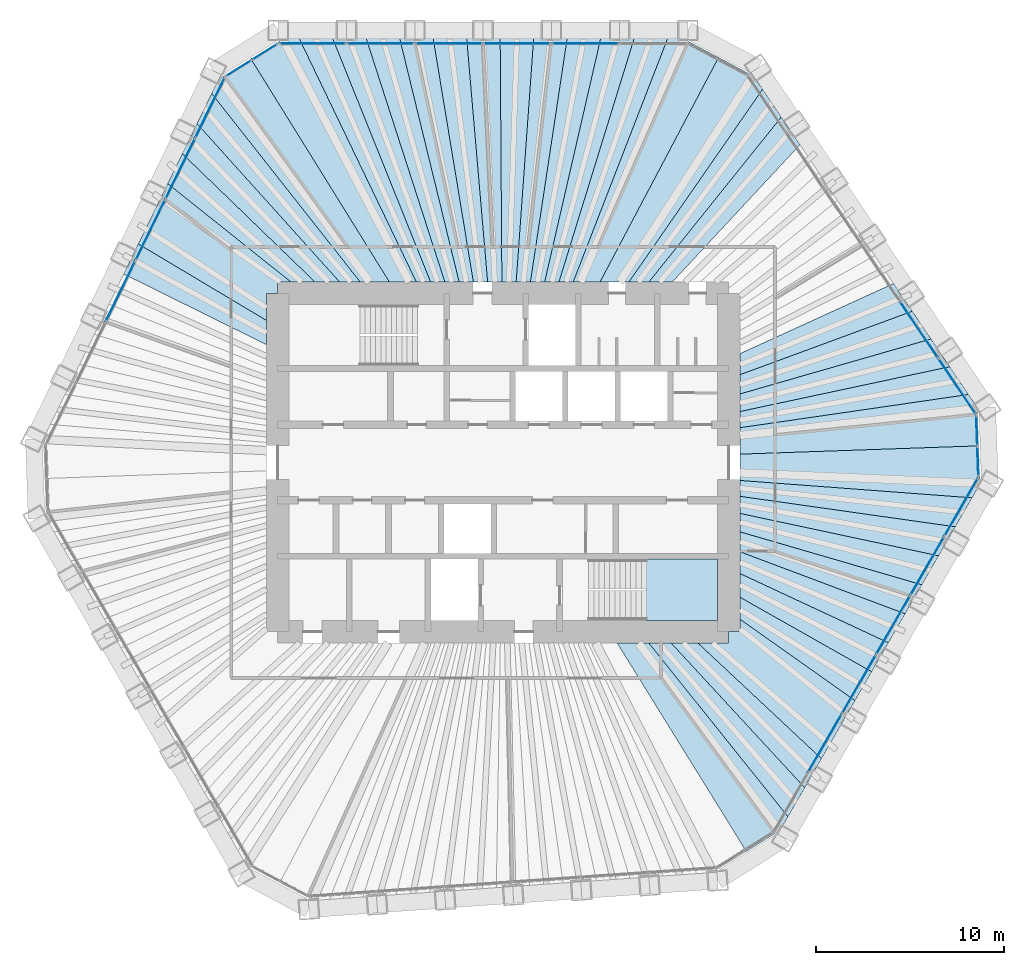
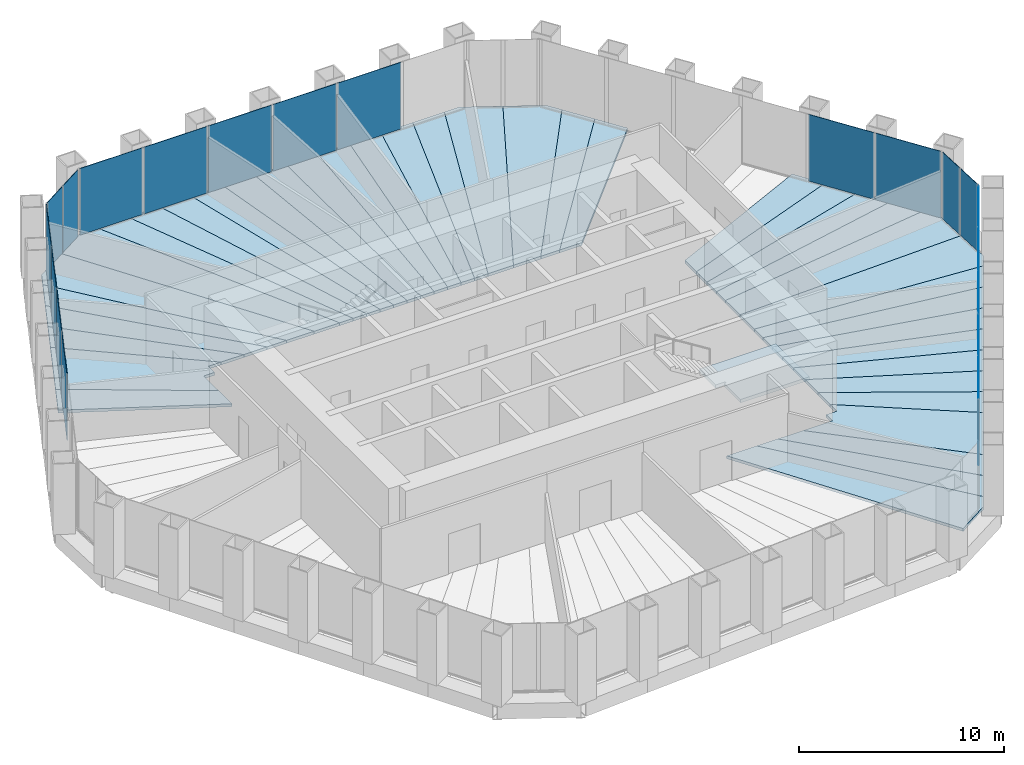
# One storey, part 9 of 14: 40 slabs, 20 plates, 7 elements without a shape of their own.
"""IFC4 building model written with IfcOpenShell, lengths in metres."""

import ifcopenshell
import ifcopenshell.guid

model = None  # the IFC model being written
_history = None  # IfcOwnerHistory: only IFC2X3 demands one
_inside = {}  # id of a spatial element -> (the spatial element, [elements in it])
_under = {}  # id of a project, library or spatial element -> (it, [spatial elements below it])
_declared = {}  # id of a project -> (the project, [libraries it declares])
_typed = {}  # id of a type object -> (the type object, [elements of that type])
_made_of = {}  # id of a material, layer set ... -> (it, [elements and type objects made of it])


def new_model(schema):
    """Start an empty IFC model of exactly this schema.

    Asked for "IFC4X3", IfcOpenShell would pick the latest addendum, in which some entities
    have other attributes; the version numbers below select the first issue.
    IFC2X3 requires an IfcOwnerHistory on every rooted entity: one is made here for all.
    """
    global model, _history
    if schema == "IFC4X3":
        model = ifcopenshell.file(schema_version=(4, 3, 0, 0))
    else:
        model = ifcopenshell.file(schema=schema)
    _inside.clear()
    _under.clear()
    _declared.clear()
    _typed.clear()
    _made_of.clear()
    _history = None
    if model.schema == "IFC2X3":
        org = make("IfcOrganization", Name="unknown")
        user = make(
            "IfcPersonAndOrganization",
            ThePerson=make("IfcPerson", FamilyName="unknown"),
            TheOrganization=org,
        )
        app = make(
            "IfcApplication",
            ApplicationDeveloper=org,
            Version="unknown",
            ApplicationFullName="unknown",
            ApplicationIdentifier="unknown",
        )
        _history = make(
            "IfcOwnerHistory",
            OwningUser=user,
            OwningApplication=app,
            ChangeAction="ADDED",
            CreationDate=0,
        )
    return model


def make(cls, **values):
    """One entity of the class cls with the attributes given. An attribute that is None is left unset."""
    return model.create_entity(
        cls, **{name: value for name, value in values.items() if value is not None}
    )


def rooted(cls, **values):
    """An entity with a GlobalId (a new one), such as an element, a storey or a relation."""
    return make(cls, GlobalId=ifcopenshell.guid.new(), OwnerHistory=_history, **values)


def si_unit(unit_type, name, prefix=None):
    """IfcSIUnit, for example si_unit("LENGTHUNIT", "METRE", prefix="MILLI")."""
    return make("IfcSIUnit", UnitType=unit_type, Prefix=prefix, Name=name)


def assignment(units):
    """IfcUnitAssignment: the units of a project."""
    return None if units is None else make("IfcUnitAssignment", Units=units)


def point(xyz):
    """IfcCartesianPoint."""
    return None if xyz is None else make("IfcCartesianPoint", Coordinates=xyz)


def direction(xyz):
    """IfcDirection."""
    return None if xyz is None else make("IfcDirection", DirectionRatios=xyz)


def frame(location, z_axis=None, x_axis=None):
    """IfcAxis2Placement3D, a coordinate frame: its origin and axes. An axis left out is left unset."""
    return make(
        "IfcAxis2Placement3D",
        Location=point(location),
        Axis=direction(z_axis),
        RefDirection=direction(x_axis),
    )


def frame_2d(location, x_axis=None):
    """IfcAxis2Placement2D, a coordinate frame in the plane: its origin and x axis."""
    return make(
        "IfcAxis2Placement2D", Location=point(location), RefDirection=direction(x_axis)
    )


def origin():
    """The frame at (0, 0, 0) with its axes left unset."""
    return frame((0.0, 0.0, 0.0))


def origin_2d():
    """The frame at (0, 0) in the plane with its x axis left unset."""
    return frame_2d((0.0, 0.0))


def place(relative_to, where):
    """IfcLocalPlacement: puts the frame where relative to a parent placement (None: the world)."""
    return make(
        "IfcLocalPlacement", PlacementRelTo=relative_to, RelativePlacement=where
    )


def context(
    kind, dimensions, precision=None, world=None, true_north=None, identifier=None
):
    """IfcGeometricRepresentationContext, for example the 3D "Model" context."""
    return make(
        "IfcGeometricRepresentationContext",
        ContextIdentifier=identifier,
        ContextType=kind,
        CoordinateSpaceDimension=dimensions,
        Precision=precision,
        WorldCoordinateSystem=world,
        TrueNorth=true_north,
    )


def subcontext(parent, identifier, kind, view, scale=None):
    """IfcGeometricRepresentationSubContext, for example "Body" below "Model"."""
    return make(
        "IfcGeometricRepresentationSubContext",
        ContextIdentifier=identifier,
        ContextType=kind,
        ParentContext=parent,
        TargetScale=scale,
        TargetView=view,
    )


def project(units=None, contexts=None):
    """IfcProject with its units and contexts."""
    return rooted(
        "IfcProject",
        Name="project",
        RepresentationContexts=contexts,
        UnitsInContext=assignment(units),
    )


def spatial(cls, under=None, at=None, **own):
    """A site, building, storey or space (cls), placed at a placement, below another one or the project."""
    s = rooted(cls, ObjectPlacement=at, **own)
    if under is not None:
        _under.setdefault(under.id(), (under, []))[1].append(s)
    return s


def polyline(points):
    """IfcPolyline through the points."""
    return make("IfcPolyline", Points=[point(p) for p in points])


def profile(cls, at=None, kind="AREA", **sizes):
    """A parametric profile (cls). Its sizes go by their IFC names, for example OverallWidth=200.0."""
    return make(cls, ProfileType=kind, Position=at, **sizes)


def rectangle(**sizes):
    """IfcRectangleProfileDef."""
    return profile("IfcRectangleProfileDef", **sizes)


def outline(outer, holes=None, kind="AREA"):
    """IfcArbitraryClosedProfileDef: a profile drawn as a closed curve; with holes, ...WithVoids."""
    if holes is None:
        return make("IfcArbitraryClosedProfileDef", ProfileType=kind, OuterCurve=outer)
    return make(
        "IfcArbitraryProfileDefWithVoids",
        ProfileType=kind,
        OuterCurve=outer,
        InnerCurves=holes,
    )


def extrude(swept, where, along, depth):
    """IfcExtrudedAreaSolid: the profile swept, set in the frame where, extruded along a direction by depth."""
    return make(
        "IfcExtrudedAreaSolid",
        SweptArea=swept,
        Position=where,
        ExtrudedDirection=direction(along),
        Depth=depth,
    )


def shape(context_of_items, identifier, shape_type, items):
    """IfcShapeRepresentation: the items that make up one representation, for example the "Body"."""
    return make(
        "IfcShapeRepresentation",
        ContextOfItems=context_of_items,
        RepresentationIdentifier=identifier,
        RepresentationType=shape_type,
        Items=items,
    )


def material(Name=None, Category=None):
    """IfcMaterial."""
    return make("IfcMaterial", Name=Name, Category=Category)


def layer(
    of_material, thickness, ventilated=None, Name=None, Category=None, Priority=None
):
    """IfcMaterialLayer: one layer of a wall or slab, of a material (None: an air gap)."""
    return make(
        "IfcMaterialLayer",
        Material=of_material,
        LayerThickness=thickness,
        IsVentilated=ventilated,
        Name=Name,
        Category=Category,
        Priority=Priority,
    )


def layer_set(layers, Name=None):
    """IfcMaterialLayerSet."""
    return make("IfcMaterialLayerSet", MaterialLayers=layers, LayerSetName=Name)


def made_of(thing, what):
    """Note that an element or type object is made of a material, layer set ...; save() writes the relation."""
    if what is not None:
        _made_of.setdefault(what.id(), (what, []))[1].append(thing)
    return thing


def type_object(cls, material=None, **own):
    """A type object (cls), such as IfcWallType, which elements share."""
    return made_of(rooted(cls, **own), material)


def element(
    cls,
    number,
    at=None,
    inside=None,
    cuts=None,
    type_object=None,
    material=None,
    context=None,
    identifier="Body",
    shape_type=None,
    held_by="IfcProductDefinitionShape",
    body=None,
    shapes=None,
    **own,
):
    """One element of the class cls, such as IfcWall. Its Tag is "e" and its number.

    at: its placement. inside: the storey or other place that contains it. cuts: it is an
    opening in that element (IfcRelVoidsElement). A single representation is given by context,
    identifier, shape_type and body (its items); several are given by shapes. held_by: the class
    of the entity that holds the representations. save() writes the other relations.
    """
    e = rooted(cls, Tag="e%d" % number, ObjectPlacement=at, **own)
    if body is not None:
        shapes = [shape(context, identifier, shape_type, body)]
    if shapes is not None:
        e.Representation = make(held_by, Representations=shapes)
    if inside is not None:
        _inside.setdefault(inside.id(), (inside, []))[1].append(e)
    if cuts is not None:
        rooted(
            "IfcRelVoidsElement", RelatingBuildingElement=cuts, RelatedOpeningElement=e
        )
    if type_object is not None:
        _typed.setdefault(type_object.id(), (type_object, []))[1].append(e)
    return made_of(e, material)


def aggregate(whole, parts):
    """IfcRelAggregates: a whole, such as a stair, and the parts it consists of."""
    return rooted("IfcRelAggregates", RelatingObject=whole, RelatedObjects=parts)


def save(model, path):
    """Write the relations noted so far, then the file.

    IfcRelAggregates (storeys below a building ...), IfcRelContainedInSpatialStructure (elements
    in a storey), IfcRelDefinesByType, IfcRelAssociatesMaterial and IfcRelDeclares: one each for
    every whole, place, type object, material and project.
    """
    for whole, parts in _under.values():
        aggregate(whole, parts)
    for where, things in _inside.values():
        rooted(
            "IfcRelContainedInSpatialStructure",
            RelatedElements=things,
            RelatingStructure=where,
        )
    for kind, things in _typed.values():
        rooted("IfcRelDefinesByType", RelatedObjects=things, RelatingType=kind)
    for what, things in _made_of.values():
        rooted("IfcRelAssociatesMaterial", RelatedObjects=things, RelatingMaterial=what)
    for by, libraries in _declared.values():
        rooted("IfcRelDeclares", RelatingContext=by, RelatedDefinitions=libraries)
    model.write(path)


model = new_model("IFC4")

# Units and contexts
model_context = context("Model", 3, precision=1e-05, world=origin(), true_north=direction((0.0, 1.0)))
body_context = subcontext(model_context, "Body", "Model", "MODEL_VIEW")
ifc_project = project(units=[si_unit("LENGTHUNIT", "METRE"), si_unit("AREAUNIT", "SQUARE_METRE"), si_unit("VOLUMEUNIT", "CUBIC_METRE"), si_unit("PLANEANGLEUNIT", "RADIAN"), si_unit("MASSUNIT", "GRAM", prefix="KILO")], contexts=[model_context])

# Site, building, storey
site_placement = place(None, origin())
site = spatial("IfcSite", under=ifc_project, at=site_placement, CompositionType="ELEMENT")
building_placement = place(site_placement, origin())
building = spatial("IfcBuilding", under=site, at=building_placement, Name="Qingtian Harvest Tower", CompositionType="ELEMENT")
storey_placement = place(building_placement, frame((0.0, 0.0, 201.39990234375)))
storey = spatial("IfcBuildingStorey", under=building, at=storey_placement, Name="L43", CompositionType="ELEMENT", Elevation=201.39990234375)

# Slabs
ifc_material_1 = material(Name="Concrete fc' 35 MPa", Category="concrete")
ifc_layer_1 = layer(ifc_material_1, 0.169921875)
ifc_layer_set_1 = layer_set([ifc_layer_1], Name="Composite floor slab FS17 170")
slab_type_1 = type_object("IfcSlabType", Name="Composite floor slab FS17 170", PredefinedType="FLOOR", material=ifc_layer_set_1)
slab_1_placement = place(storey_placement, frame((0.0, 0.0, -0.169921875)))
element("IfcSlab", 1, at=slab_1_placement, inside=storey, type_object=slab_type_1, Name="Floor slab L43 panel D27", PredefinedType="FLOOR", context=body_context, shape_type="SweptSolid", body=[
    extrude(outline(polyline([(6.059326171875, -9.60009765625), (7.740966796875, -9.60009765625), (15.159423828125, -18.853271484375), (14.73681640625, -19.5849609375), (12.94140625, -20.70703125), (6.059326171875, -9.60009765625)])), origin(), (0.0, 0.0, 1.0), 0.169921875),
])
slab_2_placement = place(storey_placement, frame((0.0, 0.0, -0.169921875)))
element("IfcSlab", 2, at=slab_2_placement, inside=storey, type_object=slab_type_1, Name="Floor slab L43 panel D28", PredefinedType="FLOOR", context=body_context, shape_type="SweptSolid", body=[
    extrude(outline(polyline([(8.929443359375, -9.60009765625), (16.05029296875, -17.31005859375), (15.159423828125, -18.853271484375), (7.740966796875, -9.60009765625), (8.929443359375, -9.60009765625)])), origin(), (0.0, 0.0, 1.0), 0.169921875),
])
slab_3_placement = place(storey_placement, frame((0.0, 0.0, -0.169921875)))
element("IfcSlab", 3, at=slab_3_placement, inside=storey, type_object=slab_type_1, Name="Floor slab L43 panel D29", PredefinedType="FLOOR", context=body_context, shape_type="SweptSolid", body=[
    extrude(outline(polyline([(10.35205078125, -9.60009765625), (16.94140625, -15.766845703125), (16.05029296875, -17.31005859375), (8.929443359375, -9.60009765625), (10.35205078125, -9.60009765625)])), origin(), (0.0, 0.0, 1.0), 0.169921875),
])
slab_4_placement = place(storey_placement, frame((0.0, 0.0, -0.169921875)))
element("IfcSlab", 4, at=slab_4_placement, inside=storey, type_object=slab_type_1, Name="Floor slab L43 panel D31", PredefinedType="FLOOR", context=body_context, shape_type="SweptSolid", body=[
    extrude(outline(polyline([(12.60009765625, -8.33984375), (18.726806640625, -12.674072265625), (16.94140625, -15.766845703125), (10.35205078125, -9.60009765625), (12.0, -9.60009765625), (12.0, -9.0), (12.60009765625, -9.0), (12.60009765625, -8.33984375)])), origin(), (0.0, 0.0, 1.0), 0.169921875),
])
slab_5_placement = place(storey_placement, frame((0.0, 0.0, -0.169921875)))
element("IfcSlab", 5, at=slab_5_placement, inside=storey, type_object=slab_type_1, Name="Floor slab L43 panel D32", PredefinedType="FLOOR", context=body_context, shape_type="SweptSolid", body=[
    extrude(outline(polyline([(12.60009765625, -7.171142578125), (19.61279296875, -11.1396484375), (18.726806640625, -12.674072265625), (12.60009765625, -8.33984375), (12.60009765625, -7.171142578125)])), origin(), (0.0, 0.0, 1.0), 0.169921875),
])
slab_6_placement = place(storey_placement, frame((0.0, 0.0, -0.169921875)))
element("IfcSlab", 6, at=slab_6_placement, inside=storey, type_object=slab_type_1, Name="Floor slab L43 panel D33", PredefinedType="FLOOR", context=body_context, shape_type="SweptSolid", body=[
    extrude(outline(polyline([(12.60009765625, -5.91015625), (20.503662109375, -9.5966796875), (19.61279296875, -11.1396484375), (12.60009765625, -7.171142578125), (12.60009765625, -5.91015625)])), origin(), (0.0, 0.0, 1.0), 0.169921875),
])
slab_7_placement = place(storey_placement, frame((0.0, 0.0, -0.169921875)))
element("IfcSlab", 7, at=slab_7_placement, inside=storey, type_object=slab_type_1, Name="Floor slab L43 panel D34", PredefinedType="FLOOR", context=body_context, shape_type="SweptSolid", body=[
    extrude(outline(polyline([(12.60009765625, -4.75439453125), (21.39453125, -8.0537109375), (20.503662109375, -9.5966796875), (12.60009765625, -5.91015625), (12.60009765625, -4.75439453125)])), origin(), (0.0, 0.0, 1.0), 0.169921875),
])
slab_8_placement = place(storey_placement, frame((0.0, 0.0, -0.169921875)))
element("IfcSlab", 8, at=slab_8_placement, inside=storey, type_object=slab_type_1, Name="Floor slab L43 panel D35", PredefinedType="FLOOR", context=body_context, shape_type="SweptSolid", body=[
    extrude(outline(polyline([(12.60009765625, -3.691162109375), (22.285400390625, -6.5107421875), (21.39453125, -8.0537109375), (12.60009765625, -4.75439453125), (12.60009765625, -3.691162109375)])), origin(), (0.0, 0.0, 1.0), 0.169921875),
])
slab_9_placement = place(storey_placement, frame((0.0, 0.0, -0.169921875)))
element("IfcSlab", 9, at=slab_9_placement, inside=storey, type_object=slab_type_1, Name="Floor slab L43 panel D36", PredefinedType="FLOOR", context=body_context, shape_type="SweptSolid", body=[
    extrude(outline(polyline([(12.60009765625, -2.709716796875), (23.17626953125, -4.9677734375), (22.285400390625, -6.5107421875), (12.60009765625, -3.691162109375), (12.60009765625, -2.709716796875)])), origin(), (0.0, 0.0, 1.0), 0.169921875),
])
slab_10_placement = place(storey_placement, frame((0.0, 0.0, -0.169921875)))
element("IfcSlab", 10, at=slab_10_placement, inside=storey, type_object=slab_type_1, Name="Floor slab L43 panel D37", PredefinedType="FLOOR", context=body_context, shape_type="SweptSolid", body=[
    extrude(outline(polyline([(12.60009765625, -1.801025390625), (24.06689453125, -3.4248046875), (23.17626953125, -4.9677734375), (12.60009765625, -2.709716796875), (12.60009765625, -1.801025390625)])), origin(), (0.0, 0.0, 1.0), 0.169921875),
])
slab_11_placement = place(storey_placement, frame((0.0, 0.0, -0.169921875)))
element("IfcSlab", 11, at=slab_11_placement, inside=storey, type_object=slab_type_1, Name="Floor slab L43 panel D38", PredefinedType="FLOOR", context=body_context, shape_type="SweptSolid", body=[
    extrude(outline(polyline([(12.60009765625, -0.95703125), (24.957763671875, -1.8818359375), (24.06689453125, -3.4248046875), (12.60009765625, -1.801025390625), (12.60009765625, -0.95703125)])), origin(), (0.0, 0.0, 1.0), 0.169921875),
])
slab_12_placement = place(storey_placement, frame((0.0, 0.0, -0.169921875)))
element("IfcSlab", 12, at=slab_12_placement, inside=storey, type_object=slab_type_1, Name="Floor slab L43 panel D39", PredefinedType="FLOOR", context=body_context, shape_type="SweptSolid", body=[
    extrude(outline(polyline([(12.60009765625, -0.95703125), (12.60009765625, 0.442626953125), (25.30908203125, 0.884033203125), (25.380126953125, -1.150146484375), (24.957763671875, -1.8818359375), (12.60009765625, -0.95703125)])), origin(), (0.0, 0.0, 1.0), 0.169921875),
])
slab_13_placement = place(storey_placement, frame((0.0, 0.0, -0.169921875)))
element("IfcSlab", 13, at=slab_13_placement, inside=storey, type_object=slab_type_1, Name="Floor slab L43 panel D40", PredefinedType="FLOOR", context=body_context, shape_type="SweptSolid", body=[
    extrude(outline(polyline([(12.60009765625, 0.442626953125), (12.60009765625, 1.848876953125), (24.765625, 3.6181640625), (25.238037109375, 2.91796875), (25.30908203125, 0.884033203125), (12.60009765625, 0.442626953125)])), origin(), (0.0, 0.0, 1.0), 0.169921875),
])
slab_14_placement = place(storey_placement, frame((0.0, 0.0, -0.169921875)))
element("IfcSlab", 14, at=slab_14_placement, inside=storey, type_object=slab_type_1, Name="Floor slab L43 panel D41", PredefinedType="FLOOR", context=body_context, shape_type="SweptSolid", body=[
    extrude(outline(polyline([(12.60009765625, 2.710205078125), (23.76953125, 5.09521484375), (24.765625, 3.6181640625), (12.60009765625, 1.848876953125), (12.60009765625, 2.710205078125)])), origin(), (0.0, 0.0, 1.0), 0.169921875),
])
slab_15_placement = place(storey_placement, frame((0.0, 0.0, -0.169921875)))
element("IfcSlab", 15, at=slab_15_placement, inside=storey, type_object=slab_type_1, Name="Floor slab L43 panel D42", PredefinedType="FLOOR", context=body_context, shape_type="SweptSolid", body=[
    extrude(outline(polyline([(12.60009765625, 3.646728515625), (22.773193359375, 6.572265625), (23.76953125, 5.09521484375), (12.60009765625, 2.710205078125), (12.60009765625, 3.646728515625)])), origin(), (0.0, 0.0, 1.0), 0.169921875),
])
slab_16_placement = place(storey_placement, frame((0.0, 0.0, -0.169921875)))
element("IfcSlab", 16, at=slab_16_placement, inside=storey, type_object=slab_type_1, Name="Floor slab L43 panel D43", PredefinedType="FLOOR", context=body_context, shape_type="SweptSolid", body=[
    extrude(outline(polyline([(12.60009765625, 4.669189453125), (21.77685546875, 8.049560546875), (22.773193359375, 6.572265625), (12.60009765625, 3.646728515625), (12.60009765625, 4.669189453125)])), origin(), (0.0, 0.0, 1.0), 0.169921875),
])
slab_17_placement = place(storey_placement, frame((0.0, 0.0, -0.169921875)))
element("IfcSlab", 17, at=slab_17_placement, inside=storey, type_object=slab_type_1, Name="Floor slab L43 panel D44", PredefinedType="FLOOR", context=body_context, shape_type="SweptSolid", body=[
    extrude(outline(polyline([(12.60009765625, 5.7900390625), (20.780517578125, 9.526611328125), (21.77685546875, 8.049560546875), (12.60009765625, 4.669189453125), (12.60009765625, 5.7900390625)])), origin(), (0.0, 0.0, 1.0), 0.169921875),
])
slab_18_placement = place(storey_placement, frame((0.0, 0.0, -0.169921875)))
element("IfcSlab", 18, at=slab_18_placement, inside=storey, type_object=slab_type_1, Name="Floor slab L43 panel D50", PredefinedType="FLOOR", context=body_context, shape_type="SweptSolid", body=[
    extrude(outline(polyline([(7.751220703125, 9.60009765625), (14.8037109375, 18.3876953125), (15.800048828125, 16.910400390625), (8.998291015625, 9.60009765625), (7.751220703125, 9.60009765625)])), origin(), (0.0, 0.0, 1.0), 0.169921875),
])
slab_19_placement = place(storey_placement, frame((0.0, 0.0, -0.169921875)))
element("IfcSlab", 19, at=slab_19_placement, inside=storey, type_object=slab_type_1, Name="Floor slab L43 panel D51", PredefinedType="FLOOR", context=body_context, shape_type="SweptSolid", body=[
    extrude(outline(polyline([(6.6904296875, 9.60009765625), (13.807373046875, 19.86474609375), (14.8037109375, 18.3876953125), (7.751220703125, 9.60009765625), (6.6904296875, 9.60009765625)])), origin(), (0.0, 0.0, 1.0), 0.169921875),
])
slab_20_placement = place(storey_placement, frame((0.0, 0.0, -0.169921875)))
element("IfcSlab", 20, at=slab_20_placement, inside=storey, type_object=slab_type_1, Name="Floor slab L43 panel D52", PredefinedType="FLOOR", context=body_context, shape_type="SweptSolid", body=[
    extrude(outline(polyline([(6.6904296875, 9.60009765625), (5.15185546875, 9.60009765625), (11.465087890625, 21.559326171875), (13.334716796875, 20.5654296875), (13.807373046875, 19.86474609375), (6.6904296875, 9.60009765625)])), origin(), (0.0, 0.0, 1.0), 0.169921875),
])
slab_21_placement = place(storey_placement, frame((0.0, 0.0, -0.169921875)))
element("IfcSlab", 21, at=slab_21_placement, inside=storey, type_object=slab_type_1, Name="Floor slab L43 panel D53", PredefinedType="FLOOR", context=body_context, shape_type="SweptSolid", body=[
    extrude(outline(polyline([(3.7236328125, 9.60009765625), (8.748291015625, 22.554931640625), (9.5927734375, 22.554931640625), (11.465087890625, 21.559326171875), (5.15185546875, 9.60009765625), (3.7236328125, 9.60009765625)])), origin(), (0.0, 0.0, 1.0), 0.169921875),
])
slab_22_placement = place(storey_placement, frame((0.0, 0.0, -0.169921875)))
element("IfcSlab", 22, at=slab_22_placement, inside=storey, type_object=slab_type_1, Name="Floor slab L43 panel D54", PredefinedType="FLOOR", context=body_context, shape_type="SweptSolid", body=[
    extrude(outline(polyline([(2.96533203125, 9.60009765625), (6.966796875, 22.554931640625), (8.748291015625, 22.554931640625), (3.7236328125, 9.60009765625), (2.96533203125, 9.60009765625)])), origin(), (0.0, 0.0, 1.0), 0.169921875),
])
slab_23_placement = place(storey_placement, frame((0.0, 0.0, -0.169921875)))
element("IfcSlab", 23, at=slab_23_placement, inside=storey, type_object=slab_type_1, Name="Floor slab L43 panel D55", PredefinedType="FLOOR", context=body_context, shape_type="SweptSolid", body=[
    extrude(outline(polyline([(2.206787109375, 9.60009765625), (5.18505859375, 22.554931640625), (6.966796875, 22.554931640625), (2.96533203125, 9.60009765625), (2.206787109375, 9.60009765625)])), origin(), (0.0, 0.0, 1.0), 0.169921875),
])
slab_24_placement = place(storey_placement, frame((0.0, 0.0, -0.169921875)))
element("IfcSlab", 24, at=slab_24_placement, inside=storey, type_object=slab_type_1, Name="Floor slab L43 panel D56", PredefinedType="FLOOR", context=body_context, shape_type="SweptSolid", body=[
    extrude(outline(polyline([(1.448486328125, 9.60009765625), (3.403564453125, 22.554931640625), (5.18505859375, 22.554931640625), (2.206787109375, 9.60009765625), (1.448486328125, 9.60009765625)])), origin(), (0.0, 0.0, 1.0), 0.169921875),
])
slab_25_placement = place(storey_placement, frame((0.0, 0.0, -0.169921875)))
element("IfcSlab", 25, at=slab_25_placement, inside=storey, type_object=slab_type_1, Name="Floor slab L43 panel D57", PredefinedType="FLOOR", context=body_context, shape_type="SweptSolid", body=[
    extrude(outline(polyline([(0.690185546875, 9.60009765625), (1.621826171875, 22.554931640625), (3.403564453125, 22.554931640625), (1.448486328125, 9.60009765625), (0.690185546875, 9.60009765625)])), origin(), (0.0, 0.0, 1.0), 0.169921875),
])
slab_26_placement = place(storey_placement, frame((0.0, 0.0, -0.169921875)))
element("IfcSlab", 26, at=slab_26_placement, inside=storey, type_object=slab_type_1, Name="Floor slab L43 panel D58", PredefinedType="FLOOR", context=body_context, shape_type="SweptSolid", body=[
    extrude(outline(polyline([(-0.068115234375, 9.60009765625), (-0.159912109375, 22.554931640625), (1.621826171875, 22.554931640625), (0.690185546875, 9.60009765625), (-0.068115234375, 9.60009765625)])), origin(), (0.0, 0.0, 1.0), 0.169921875),
])
slab_27_placement = place(storey_placement, frame((0.0, 0.0, -0.169921875)))
element("IfcSlab", 27, at=slab_27_placement, inside=storey, type_object=slab_type_1, Name="Floor slab L43 panel D59", PredefinedType="FLOOR", context=body_context, shape_type="SweptSolid", body=[
    extrude(outline(polyline([(-0.826416015625, 9.60009765625), (-1.94140625, 22.554931640625), (-0.159912109375, 22.554931640625), (-0.068115234375, 9.60009765625), (-0.826416015625, 9.60009765625)])), origin(), (0.0, 0.0, 1.0), 0.169921875),
])
slab_28_placement = place(storey_placement, frame((0.0, 0.0, -0.169921875)))
element("IfcSlab", 28, at=slab_28_placement, inside=storey, type_object=slab_type_1, Name="Floor slab L43 panel D60", PredefinedType="FLOOR", context=body_context, shape_type="SweptSolid", body=[
    extrude(outline(polyline([(-1.584716796875, 9.60009765625), (-3.72314453125, 22.554931640625), (-1.94140625, 22.554931640625), (-0.826416015625, 9.60009765625), (-1.584716796875, 9.60009765625)])), origin(), (0.0, 0.0, 1.0), 0.169921875),
])
slab_29_placement = place(storey_placement, frame((0.0, 0.0, -0.169921875)))
element("IfcSlab", 29, at=slab_29_placement, inside=storey, type_object=slab_type_1, Name="Floor slab L43 panel D61", PredefinedType="FLOOR", context=body_context, shape_type="SweptSolid", body=[
    extrude(outline(polyline([(-2.343017578125, 9.60009765625), (-5.504638671875, 22.554931640625), (-3.72314453125, 22.554931640625), (-1.584716796875, 9.60009765625), (-2.343017578125, 9.60009765625)])), origin(), (0.0, 0.0, 1.0), 0.169921875),
])
slab_30_placement = place(storey_placement, frame((0.0, 0.0, -0.169921875)))
element("IfcSlab", 30, at=slab_30_placement, inside=storey, type_object=slab_type_1, Name="Floor slab L43 panel D62", PredefinedType="FLOOR", context=body_context, shape_type="SweptSolid", body=[
    extrude(outline(polyline([(-3.101318359375, 9.60009765625), (-7.286376953125, 22.554931640625), (-5.504638671875, 22.554931640625), (-2.343017578125, 9.60009765625), (-3.101318359375, 9.60009765625)])), origin(), (0.0, 0.0, 1.0), 0.169921875),
])
slab_31_placement = place(storey_placement, frame((0.0, 0.0, -0.169921875)))
element("IfcSlab", 31, at=slab_31_placement, inside=storey, type_object=slab_type_1, Name="Floor slab L43 panel D63", PredefinedType="FLOOR", context=body_context, shape_type="SweptSolid", body=[
    extrude(outline(polyline([(-3.859619140625, 9.60009765625), (-9.06787109375, 22.554931640625), (-7.286376953125, 22.554931640625), (-3.101318359375, 9.60009765625), (-3.859619140625, 9.60009765625)])), origin(), (0.0, 0.0, 1.0), 0.169921875),
])
slab_32_placement = place(storey_placement, frame((0.0, 0.0, -0.169921875)))
element("IfcSlab", 32, at=slab_32_placement, inside=storey, type_object=slab_type_1, Name="Floor slab L43 panel D64", PredefinedType="FLOOR", context=body_context, shape_type="SweptSolid", body=[
    extrude(outline(polyline([(-4.617919921875, 9.60009765625), (-10.849609375, 22.554931640625), (-9.06787109375, 22.554931640625), (-3.859619140625, 9.60009765625), (-4.617919921875, 9.60009765625)])), origin(), (0.0, 0.0, 1.0), 0.169921875),
])
slab_33_placement = place(storey_placement, frame((0.0, 0.0, -0.169921875)))
element("IfcSlab", 33, at=slab_33_placement, inside=storey, type_object=slab_type_1, Name="Floor slab L43 panel D65", PredefinedType="FLOOR", context=body_context, shape_type="SweptSolid", body=[
    extrude(outline(polyline([(-4.617919921875, 9.60009765625), (-6.050537109375, 9.60009765625), (-13.42138671875, 21.4755859375), (-11.69384765625, 22.554931640625), (-10.849609375, 22.554931640625), (-4.617919921875, 9.60009765625)])), origin(), (0.0, 0.0, 1.0), 0.169921875),
])
slab_34_placement = place(storey_placement, frame((0.0, 0.0, -0.169921875)))
element("IfcSlab", 34, at=slab_34_placement, inside=storey, type_object=slab_type_1, Name="Floor slab L43 panel D66", PredefinedType="FLOOR", context=body_context, shape_type="SweptSolid", body=[
    extrude(outline(polyline([(-6.050537109375, 9.60009765625), (-7.60498046875, 9.60009765625), (-15.516357421875, 19.638427734375), (-15.14599609375, 20.39794921875), (-13.42138671875, 21.4755859375), (-6.050537109375, 9.60009765625)])), origin(), (0.0, 0.0, 1.0), 0.169921875),
])
slab_35_placement = place(storey_placement, frame((0.0, 0.0, -0.169921875)))
element("IfcSlab", 35, at=slab_35_placement, inside=storey, type_object=slab_type_1, Name="Floor slab L43 panel D67", PredefinedType="FLOOR", context=body_context, shape_type="SweptSolid", body=[
    extrude(outline(polyline([(-8.699951171875, 9.60009765625), (-16.297607421875, 18.036865234375), (-15.516357421875, 19.638427734375), (-7.60498046875, 9.60009765625), (-8.699951171875, 9.60009765625)])), origin(), (0.0, 0.0, 1.0), 0.169921875),
])
slab_36_placement = place(storey_placement, frame((0.0, 0.0, -0.169921875)))
element("IfcSlab", 36, at=slab_36_placement, inside=storey, type_object=slab_type_1, Name="Floor slab L43 panel D68", PredefinedType="FLOOR", context=body_context, shape_type="SweptSolid", body=[
    extrude(outline(polyline([(-10.009765625, 9.60009765625), (-17.07861328125, 16.435302734375), (-16.297607421875, 18.036865234375), (-8.699951171875, 9.60009765625), (-10.009765625, 9.60009765625)])), origin(), (0.0, 0.0, 1.0), 0.169921875),
])
slab_37_placement = place(storey_placement, frame((0.0, 0.0, -0.169921875)))
element("IfcSlab", 37, at=slab_37_placement, inside=storey, type_object=slab_type_1, Name="Floor slab L43 panel D69", PredefinedType="FLOOR", context=body_context, shape_type="SweptSolid", body=[
    extrude(outline(polyline([(-11.28759765625, 9.60009765625), (-17.855224609375, 14.84326171875), (-17.07861328125, 16.435302734375), (-10.009765625, 9.60009765625), (-11.28759765625, 9.60009765625)])), origin(), (0.0, 0.0, 1.0), 0.169921875),
])
slab_38_placement = place(storey_placement, frame((0.0, 0.0, -0.169921875)))
element("IfcSlab", 38, at=slab_38_placement, inside=storey, type_object=slab_type_1, Name="Floor slab L43 panel D70", PredefinedType="FLOOR", context=body_context, shape_type="SweptSolid", body=[
    extrude(outline(polyline([(-12.0, 9.0), (-12.60009765625, 9.0), (-12.60009765625, 7.560302734375), (-19.4208984375, 11.633056640625), (-17.855224609375, 14.84326171875), (-11.28759765625, 9.60009765625), (-12.0, 9.60009765625), (-12.0, 9.0)])), origin(), (0.0, 0.0, 1.0), 0.169921875),
])
slab_39_placement = place(storey_placement, frame((0.0, 0.0, -0.169921875)))
element("IfcSlab", 39, at=slab_39_placement, inside=storey, type_object=slab_type_1, Name="Floor slab L43 panel D72", PredefinedType="FLOOR", context=body_context, shape_type="SweptSolid", body=[
    extrude(outline(polyline([(-12.60009765625, 6.268310546875), (-20.201904296875, 10.031494140625), (-19.4208984375, 11.633056640625), (-12.60009765625, 7.560302734375), (-12.60009765625, 6.268310546875)])), origin(), (0.0, 0.0, 1.0), 0.169921875),
])

# Curtain wall, plates
ifc_material_2 = material(Name="Bronze-anodised aluminium curtain wall", Category="aluminium")
curtain_wall_type = type_object("IfcCurtainWallType", Name="Curtain wall CW4 office", PredefinedType="USERDEFINED", material=ifc_material_2)
curtain_wall_1_placement = place(storey_placement, origin())
curtain_wall_1 = element("IfcCurtainWall", 40, at=curtain_wall_1_placement, inside=storey, type_object=curtain_wall_type, Name="Curtain wall CW4 L43 N0-5", ObjectType="RECESSED CURTAIN WALL", PredefinedType="USERDEFINED")
ifc_material_3 = material(Name="Bronze-tinted laminated insulating glass", Category="glass")
ifc_layer_2 = layer(ifc_material_3, 0.030029296875)
ifc_layer_set_2 = layer_set([ifc_layer_2], Name="Glazed panel CWP tinted IGU")
plate_type = type_object("IfcPlateType", Name="Glazed panel CWP tinted IGU", PredefinedType="CURTAIN_PANEL", material=ifc_layer_set_2)
plate_1_placement = place(storey_placement, frame((-10.138916015625, 22.300048828125, 0.06494140625), z_axis=(0.0, 0.0, 1.0), x_axis=(1.0, 0.0, 0.0)))
plate_1 = element("IfcPlate", 41, at=plate_1_placement, type_object=plate_type, Name="CW4 panel 1.1", PredefinedType="CURTAIN_PANEL", context=body_context, shape_type="SweptSolid", body=[
    extrude(rectangle(XDim=3.5361328125, YDim=0.030029296875, at=origin_2d()), origin(), (0.0, 0.0, 1.0), 3.965087890625),
])
plate_2_placement = place(storey_placement, frame((-6.521728515625, 22.300048828125, 0.06494140625), z_axis=(0.0, 0.0, 1.0), x_axis=(1.0, 0.0, 0.0)))
plate_2 = element("IfcPlate", 42, at=plate_2_placement, type_object=plate_type, Name="CW4 panel 2.1", PredefinedType="CURTAIN_PANEL", context=body_context, shape_type="SweptSolid", body=[
    extrude(rectangle(XDim=3.568603515625, YDim=0.030029296875, at=origin_2d()), origin(), (0.0, 0.0, 1.0), 3.965087890625),
])
plate_3_placement = place(storey_placement, frame((-2.88818359375, 22.300048828125, 0.06494140625), z_axis=(0.0, 0.0, 1.0), x_axis=(1.0, 0.0, 0.0)))
plate_3 = element("IfcPlate", 43, at=plate_3_placement, type_object=plate_type, Name="CW4 panel 3.1", PredefinedType="CURTAIN_PANEL", context=body_context, shape_type="SweptSolid", body=[
    extrude(rectangle(XDim=3.568603515625, YDim=0.030029296875, at=origin_2d()), origin(), (0.0, 0.0, 1.0), 3.965087890625),
])
plate_4_placement = place(storey_placement, frame((0.745361328125, 22.300048828125, 0.06494140625), z_axis=(0.0, 0.0, 1.0), x_axis=(1.0, 0.0, 0.0)))
plate_4 = element("IfcPlate", 44, at=plate_4_placement, type_object=plate_type, Name="CW4 panel 4.1", PredefinedType="CURTAIN_PANEL", context=body_context, shape_type="SweptSolid", body=[
    extrude(rectangle(XDim=3.568603515625, YDim=0.030029296875, at=origin_2d()), origin(), (0.0, 0.0, 1.0), 3.965087890625),
])
plate_5_placement = place(storey_placement, frame((4.37890625, 22.300048828125, 0.06494140625), z_axis=(0.0, 0.0, 1.0), x_axis=(1.0, 0.0, 0.0)))
plate_5 = element("IfcPlate", 45, at=plate_5_placement, type_object=plate_type, Name="CW4 panel 5.1", PredefinedType="CURTAIN_PANEL", context=body_context, shape_type="SweptSolid", body=[
    extrude(rectangle(XDim=3.568603515625, YDim=0.030029296875, at=origin_2d()), origin(), (0.0, 0.0, 1.0), 3.965087890625),
])
aggregate(curtain_wall_1, [plate_1, plate_2, plate_3, plate_4, plate_5])

curtain_wall_2_placement = place(storey_placement, origin())
curtain_wall_2 = element("IfcCurtainWall", 46, at=curtain_wall_2_placement, inside=storey, type_object=curtain_wall_type, Name="Curtain wall CW4 L43 NE0-5", ObjectType="RECESSED CURTAIN WALL", PredefinedType="USERDEFINED")
plate_6_placement = place(storey_placement, frame((22.134521484375, 7.063232421875, 0.06494140625), z_axis=(0.0, 0.0, 1.0), x_axis=(0.559192903471, -0.829037572555, 0.0)))
plate_6 = element("IfcPlate", 47, at=plate_6_placement, type_object=plate_type, Name="CW4 panel 5.1", PredefinedType="CURTAIN_PANEL", context=body_context, shape_type="SweptSolid", body=[
    extrude(rectangle(XDim=3.568603515625, YDim=0.030029296875, at=origin_2d()), origin(), (0.0, 0.0, 1.0), 3.965087890625),
])
plate_7_placement = place(storey_placement, frame((24.1572265625, 4.064453125, 0.06494140625), z_axis=(0.0, 0.0, 1.0), x_axis=(0.559192903471, -0.829037572555, 0.0)))
plate_7 = element("IfcPlate", 48, at=plate_7_placement, type_object=plate_type, Name="CW4 panel 6.1", PredefinedType="CURTAIN_PANEL", context=body_context, shape_type="SweptSolid", body=[
    extrude(rectangle(XDim=3.5361328125, YDim=0.030029296875, at=origin_2d()), origin(), (0.0, 0.0, 1.0), 3.965087890625),
])
aggregate(curtain_wall_2, [plate_6, plate_7])

curtain_wall_3_placement = place(storey_placement, origin())
curtain_wall_3 = element("IfcCurtainWall", 49, at=curtain_wall_3_placement, inside=storey, type_object=curtain_wall_type, Name="Curtain wall CW4 L43 NEC", ObjectType="RECESSED CURTAIN WALL", PredefinedType="USERDEFINED")
plate_8_placement = place(storey_placement, frame((25.2119140625, 1.69677734375, 0.06494140625), z_axis=(0.0, 0.0, 1.0), x_axis=(0.034899496703, -0.999390827019, 0.0)))
plate_8 = element("IfcPlate", 50, at=plate_8_placement, type_object=plate_type, Name="CW4 panel 1.1", PredefinedType="CURTAIN_PANEL", context=body_context, shape_type="SweptSolid", body=[
    extrude(rectangle(XDim=1.56689453125, YDim=0.030029296875, at=origin_2d()), origin(), (0.0, 0.0, 1.0), 3.965087890625),
])
plate_9_placement = place(storey_placement, frame((25.268798828125, 0.06591796875, 0.06494140625), z_axis=(0.0, 0.0, 1.0), x_axis=(0.034899496703, -0.999390827019, 0.0)))
plate_9 = element("IfcPlate", 51, at=plate_9_placement, type_object=plate_type, Name="CW4 panel 2.1", PredefinedType="CURTAIN_PANEL", context=body_context, shape_type="SweptSolid", body=[
    extrude(rectangle(XDim=1.56689453125, YDim=0.030029296875, at=origin_2d()), origin(), (0.0, 0.0, 1.0), 3.965087890625),
])
aggregate(curtain_wall_3, [plate_8, plate_9])

curtain_wall_4_placement = place(storey_placement, origin())
curtain_wall_4 = element("IfcCurtainWall", 52, at=curtain_wall_4_placement, inside=storey, type_object=curtain_wall_type, Name="Curtain wall CW4 L43 SE0-5", ObjectType="RECESSED CURTAIN WALL", PredefinedType="USERDEFINED")
plate_10_placement = place(storey_placement, frame((24.3818359375, -2.369384765625, 0.06494140625), z_axis=(0.0, 0.0, 1.0), x_axis=(-0.5, -0.866025403784, 0.0)))
plate_10 = element("IfcPlate", 53, at=plate_10_placement, type_object=plate_type, Name="CW4 panel 1.1", PredefinedType="CURTAIN_PANEL", context=body_context, shape_type="SweptSolid", body=[
    extrude(rectangle(XDim=3.5361328125, YDim=0.030029296875, at=origin_2d()), origin(), (0.0, 0.0, 1.0), 3.965087890625),
])
plate_11_placement = place(storey_placement, frame((22.5732421875, -5.501953125, 0.06494140625), z_axis=(0.0, 0.0, 1.0), x_axis=(-0.5, -0.866025403784, 0.0)))
plate_11 = element("IfcPlate", 54, at=plate_11_placement, type_object=plate_type, Name="CW4 panel 2.1", PredefinedType="CURTAIN_PANEL", context=body_context, shape_type="SweptSolid", body=[
    extrude(rectangle(XDim=3.568603515625, YDim=0.030029296875, at=origin_2d()), origin(), (0.0, 0.0, 1.0), 3.965087890625),
])
plate_12_placement = place(storey_placement, frame((20.75634765625, -8.64892578125, 0.06494140625), z_axis=(0.0, 0.0, 1.0), x_axis=(-0.5, -0.866025403784, 0.0)))
plate_12 = element("IfcPlate", 55, at=plate_12_placement, type_object=plate_type, Name="CW4 panel 3.1", PredefinedType="CURTAIN_PANEL", context=body_context, shape_type="SweptSolid", body=[
    extrude(rectangle(XDim=3.568603515625, YDim=0.030029296875, at=origin_2d()), origin(), (0.0, 0.0, 1.0), 3.965087890625),
])
plate_13_placement = place(storey_placement, frame((18.939697265625, -11.795654296875, 0.06494140625), z_axis=(0.0, 0.0, 1.0), x_axis=(-0.5, -0.866025403784, 0.0)))
plate_13 = element("IfcPlate", 56, at=plate_13_placement, type_object=plate_type, Name="CW4 panel 4.1", PredefinedType="CURTAIN_PANEL", context=body_context, shape_type="SweptSolid", body=[
    extrude(rectangle(XDim=3.568603515625, YDim=0.030029296875, at=origin_2d()), origin(), (0.0, 0.0, 1.0), 3.965087890625),
])
plate_14_placement = place(storey_placement, frame((17.122802734375, -14.9423828125, 0.06494140625), z_axis=(0.0, 0.0, 1.0), x_axis=(-0.5, -0.866025403784, 0.0)))
plate_14 = element("IfcPlate", 57, at=plate_14_placement, type_object=plate_type, Name="CW4 panel 5.1", PredefinedType="CURTAIN_PANEL", context=body_context, shape_type="SweptSolid", body=[
    extrude(rectangle(XDim=3.568603515625, YDim=0.030029296875, at=origin_2d()), origin(), (0.0, 0.0, 1.0), 3.965087890625),
])
aggregate(curtain_wall_4, [plate_10, plate_11, plate_12, plate_13, plate_14])

curtain_wall_5_placement = place(storey_placement, origin())
curtain_wall_5 = element("IfcCurtainWall", 58, at=curtain_wall_5_placement, inside=storey, type_object=curtain_wall_type, Name="Curtain wall CW4 L43 NW0-5", ObjectType="RECESSED CURTAIN WALL", PredefinedType="USERDEFINED")
plate_15_placement = place(storey_placement, frame((-20.369873046875, 9.105712890625, 0.06494140625), z_axis=(0.0, 0.0, 1.0), x_axis=(0.438371146789, 0.898794046299, 0.0)))
plate_15 = element("IfcPlate", 59, at=plate_15_placement, type_object=plate_type, Name="CW4 panel 3.1", PredefinedType="CURTAIN_PANEL", context=body_context, shape_type="SweptSolid", body=[
    extrude(rectangle(XDim=3.568603515625, YDim=0.030029296875, at=origin_2d()), origin(), (0.0, 0.0, 1.0), 3.965087890625),
])
plate_16_placement = place(storey_placement, frame((-18.777099609375, 12.37158203125, 0.06494140625), z_axis=(0.0, 0.0, 1.0), x_axis=(0.438371146789, 0.898794046299, 0.0)))
plate_16 = element("IfcPlate", 60, at=plate_16_placement, type_object=plate_type, Name="CW4 panel 4.1", PredefinedType="CURTAIN_PANEL", context=body_context, shape_type="SweptSolid", body=[
    extrude(rectangle(XDim=3.568603515625, YDim=0.030029296875, at=origin_2d()), origin(), (0.0, 0.0, 1.0), 3.965087890625),
])
plate_17_placement = place(storey_placement, frame((-17.18408203125, 15.63720703125, 0.06494140625), z_axis=(0.0, 0.0, 1.0), x_axis=(0.438371146789, 0.898794046299, 0.0)))
plate_17 = element("IfcPlate", 61, at=plate_17_placement, type_object=plate_type, Name="CW4 panel 5.1", PredefinedType="CURTAIN_PANEL", context=body_context, shape_type="SweptSolid", body=[
    extrude(rectangle(XDim=3.568603515625, YDim=0.030029296875, at=origin_2d()), origin(), (0.0, 0.0, 1.0), 3.965087890625),
])
plate_18_placement = place(storey_placement, frame((-15.598388671875, 18.888427734375, 0.06494140625), z_axis=(0.0, 0.0, 1.0), x_axis=(0.438371146789, 0.898794046299, 0.0)))
plate_18 = element("IfcPlate", 62, at=plate_18_placement, type_object=plate_type, Name="CW4 panel 6.1", PredefinedType="CURTAIN_PANEL", context=body_context, shape_type="SweptSolid", body=[
    extrude(rectangle(XDim=3.5361328125, YDim=0.030029296875, at=origin_2d()), origin(), (0.0, 0.0, 1.0), 3.965087890625),
])
aggregate(curtain_wall_5, [plate_15, plate_16, plate_17, plate_18])

curtain_wall_6_placement = place(storey_placement, origin())
curtain_wall_6 = element("IfcCurtainWall", 63, at=curtain_wall_6_placement, inside=storey, type_object=curtain_wall_type, Name="Curtain wall CW4 L43 NWC", ObjectType="RECESSED CURTAIN WALL", PredefinedType="USERDEFINED")
plate_19_placement = place(storey_placement, frame((-14.075439453125, 20.985595703125, 0.06494140625), z_axis=(0.0, 0.0, 1.0), x_axis=(0.848048096156, 0.529919264233, 0.0)))
plate_19 = element("IfcPlate", 64, at=plate_19_placement, type_object=plate_type, Name="CW4 panel 1.1", PredefinedType="CURTAIN_PANEL", context=body_context, shape_type="SweptSolid", body=[
    extrude(rectangle(XDim=1.56689453125, YDim=0.030029296875, at=origin_2d()), origin(), (0.0, 0.0, 1.0), 3.965087890625),
])
plate_20_placement = place(storey_placement, frame((-12.69140625, 21.850341796875, 0.06494140625), z_axis=(0.0, 0.0, 1.0), x_axis=(0.848048096156, 0.529919264233, 0.0)))
plate_20 = element("IfcPlate", 65, at=plate_20_placement, type_object=plate_type, Name="CW4 panel 2.1", PredefinedType="CURTAIN_PANEL", context=body_context, shape_type="SweptSolid", body=[
    extrude(rectangle(XDim=1.56689453125, YDim=0.030029296875, at=origin_2d()), origin(), (0.0, 0.0, 1.0), 3.965087890625),
])
aggregate(curtain_wall_6, [plate_19, plate_20])

# Stair, slab
ifc_material_4 = material(Name="Concrete fc' 35 MPa", Category="concrete")
stair_type = type_object("IfcStairType", Name="Special stair ST4 4200", PredefinedType="HALF_TURN_STAIR", material=ifc_material_4)
stair_placement = place(storey_placement, origin())
stair = element("IfcStair", 66, at=stair_placement, inside=storey, type_object=stair_type, Name="Special stair S2 L43", PredefinedType="HALF_TURN_STAIR")
ifc_material_5 = material(Name="Concrete fc' 35 MPa", Category="concrete")
ifc_layer_3 = layer(ifc_material_5, 0.199951171875)
ifc_layer_set_3 = layer_set([ifc_layer_3], Name="Stair landing SL2 200")
slab_type_2 = type_object("IfcSlabType", Name="Stair landing SL2 200", PredefinedType="LANDING", material=ifc_layer_set_3)
slab_40_placement = place(storey_placement, frame((0.0, 0.0, 1.900146484375)))
slab_40 = element("IfcSlab", 67, at=slab_40_placement, type_object=slab_type_2, Name="S2 landing 2", PredefinedType="LANDING", context=body_context, shape_type="SweptSolid", body=[
    extrude(outline(polyline([(7.530029296875, -8.39990234375), (7.530029296875, -6.824951171875), (7.6298828125, -6.824951171875), (7.6298828125, -6.72509765625), (7.094970703125, -6.72509765625), (7.094970703125, -5.14990234375), (11.39990234375, -5.14990234375), (11.39990234375, -8.39990234375), (7.530029296875, -8.39990234375)])), origin(), (0.0, 0.0, 1.0), 0.199951171875),
])
aggregate(stair, [slab_40])

save(model, "model.ifc")
